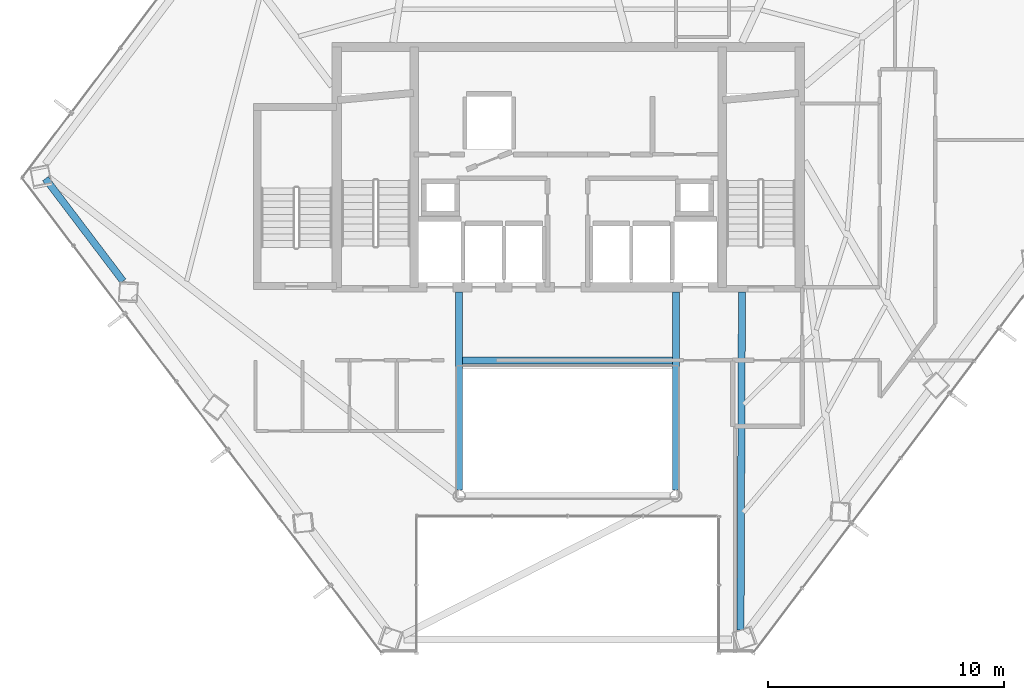
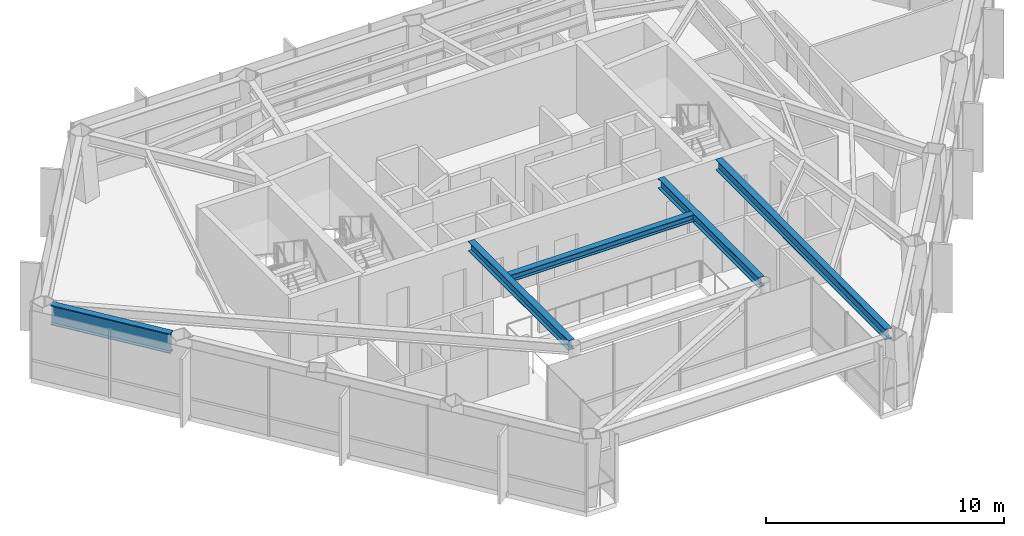
# One storey, part 10 of 30: 5 beams.
"""IFC4 building model written with IfcOpenShell, lengths in metres."""

from ifc_helpers import new_model, si_unit, direction, frame, origin, origin_2d, place, context, subcontext, project, spatial, i_section, extrude, material, material_profile, profile_set, type_object, element, save


model = new_model("IFC4")

# Units and contexts
model_context = context("Model", 3, precision=1e-05, world=origin(), true_north=direction((0.0, 1.0)))
body_context = subcontext(model_context, "Body", "Model", "MODEL_VIEW")
ifc_project = project(units=[si_unit("LENGTHUNIT", "METRE"), si_unit("AREAUNIT", "SQUARE_METRE"), si_unit("VOLUMEUNIT", "CUBIC_METRE"), si_unit("PLANEANGLEUNIT", "RADIAN"), si_unit("MASSUNIT", "GRAM", prefix="KILO")], contexts=[model_context])

# Site, building, storey
site_placement = place(None, origin())
site = spatial("IfcSite", under=ifc_project, at=site_placement, CompositionType="ELEMENT")
building_placement = place(site_placement, origin())
building = spatial("IfcBuilding", under=site, at=building_placement, Name="Zarrinselat Tower", CompositionType="ELEMENT")
storey_placement = place(building_placement, frame((0.0, 0.0, 160.820068359375)))
storey = spatial("IfcBuildingStorey", under=building, at=storey_placement, Name="L39", CompositionType="ELEMENT", Elevation=160.820068359375)

# Beams
ifc_material_1 = material(Name="Steel S355J2", Category="steel")
ifc_material_profile_1 = material_profile(ifc_material_1, i_section(OverallWidth=0.300048828125, OverallDepth=0.35009765625, WebThickness=0.010009765625, FlangeThickness=0.017578125, at=origin_2d()), Name="HEA 360")
ifc_profile_set_1 = profile_set([ifc_material_profile_1], Name="Steel S355J2")
beam_type_1 = type_object("IfcBeamType", Name="BM-HEA360", PredefinedType="LINTEL", material=ifc_profile_set_1)
beam_1_placement = place(storey_placement, frame((33.93994140625, 30.14990234375, 3.324951171875), z_axis=(1.0, 0.0, 0.0), x_axis=(0.0, 1.0, 0.0)))
element("IfcBeam", 1, at=beam_1_placement, inside=storey, type_object=beam_type_1, Name="L39 Lift Lobby Ceiling Beam", PredefinedType="LINTEL", context=body_context, shape_type="SweptSolid", body=[
    extrude(i_section(OverallWidth=0.300048828125, OverallDepth=0.35009765625, WebThickness=0.010009765625, FlangeThickness=0.017578125, at=origin_2d()), origin(), (0.0, 0.0, 1.0), 8.920166015625),
])
ifc_material_2 = material(Name="Steel S355J2", Category="steel")
ifc_material_profile_2 = material_profile(ifc_material_2, i_section(OverallWidth=0.300048828125, OverallDepth=0.5, WebThickness=0.014404296875, FlangeThickness=0.028076171875, at=origin_2d()), Name="HEB 500")
ifc_profile_set_2 = profile_set([ifc_material_profile_2], Name="Steel S355J2")
beam_type_2 = type_object("IfcBeamType", Name="BM-HEB500", PredefinedType="BEAM", material=ifc_profile_set_2)
for number, where, z_axis, x_axis, name in (
    (2, (33.800048828125, 24.639892578125, 3.25), (0.0, 1.0, 0.0), (-1.0, 0.0, 0.0), "L39 Atrium Edge Beam W"),
    (3, (43.0, 24.639892578125, 3.25), (0.0, 1.0, 0.0), (-1.0, 0.0, 0.0), "L39 Atrium Edge Beam E"),
):
    element("IfcBeam", number, at=place(storey_placement, frame(where, z_axis=z_axis, x_axis=x_axis)), inside=storey, type_object=beam_type_2, Name=name, PredefinedType="BEAM", context=body_context, shape_type="SweptSolid", body=[
        extrude(i_section(OverallWidth=0.300048828125, OverallDepth=0.5, WebThickness=0.014404296875, FlangeThickness=0.028076171875, at=origin_2d()), origin(), (0.0, 0.0, 1.0), 8.420166015625),
    ])
ifc_material_3 = material(Name="Steel S355J2", Category="steel")
ifc_material_profile_3 = material_profile(ifc_material_3, i_section(OverallWidth=0.300048828125, OverallDepth=0.550048828125, WebThickness=0.014892578125, FlangeThickness=0.029052734375, at=origin_2d()), Name="HEB 550")
ifc_profile_set_3 = profile_set([ifc_material_profile_3], Name="Steel S355J2")
beam_type_3 = type_object("IfcBeamType", Name="BM-HEB550", PredefinedType="BEAM", material=ifc_profile_set_3)
beam_2_placement = place(storey_placement, frame((45.7412109375, 18.705322265625, 3.224853515625), z_axis=(0.00409881415, 0.999991599826, 0.0), x_axis=(-0.999991599826, 0.00409881415, 0.0)))
element("IfcBeam", 4, at=beam_2_placement, inside=storey, type_object=beam_type_3, Name="L39 Radial Primary Girder RG11", PredefinedType="BEAM", context=body_context, shape_type="SweptSolid", body=[
    extrude(i_section(OverallWidth=0.300048828125, OverallDepth=0.550048828125, WebThickness=0.014892578125, FlangeThickness=0.029052734375, at=origin_2d()), origin(), (0.0, 0.0, 1.0), 14.354736328125),
])
ifc_material_4 = material(Name="Steel S460M", Category="steel")
ifc_material_profile_4 = material_profile(ifc_material_4, i_section(OverallWidth=0.302001953125, OverallDepth=1.008056640625, WebThickness=0.02099609375, FlangeThickness=0.0400390625, at=origin_2d()), Name="HEM 1000")
ifc_profile_set_4 = profile_set([ifc_material_profile_4], Name="Steel S460M")
beam_type_4 = type_object("IfcBeamType", Name="BM-HEM1000", PredefinedType="BEAM", material=ifc_profile_set_4)
beam_3_placement = place(storey_placement, frame((16.24365234375, 37.86181640625, 2.995849609375), z_axis=(0.603852518147, -0.797096064679, 0.0), x_axis=(0.797096064679, 0.603852518147, 0.0)))
element("IfcBeam", 5, at=beam_3_placement, inside=storey, type_object=beam_type_4, Name="L39 Perimeter Spandrel Girder SP06", PredefinedType="BEAM", context=body_context, shape_type="SweptSolid", body=[
    extrude(i_section(OverallWidth=0.302001953125, OverallDepth=1.008056640625, WebThickness=0.02099609375, FlangeThickness=0.0400390625, at=origin_2d()), origin(), (0.0, 0.0, 1.0), 5.455322265625),
])

save(model, "model.ifc")
